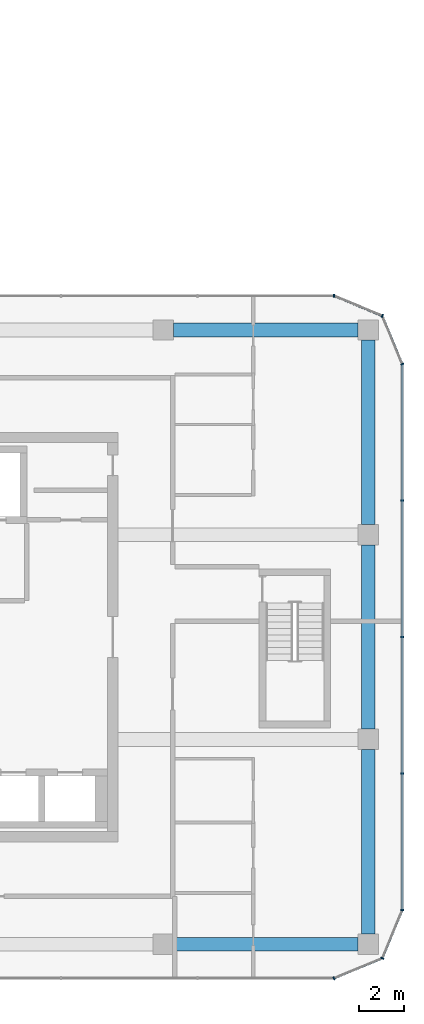
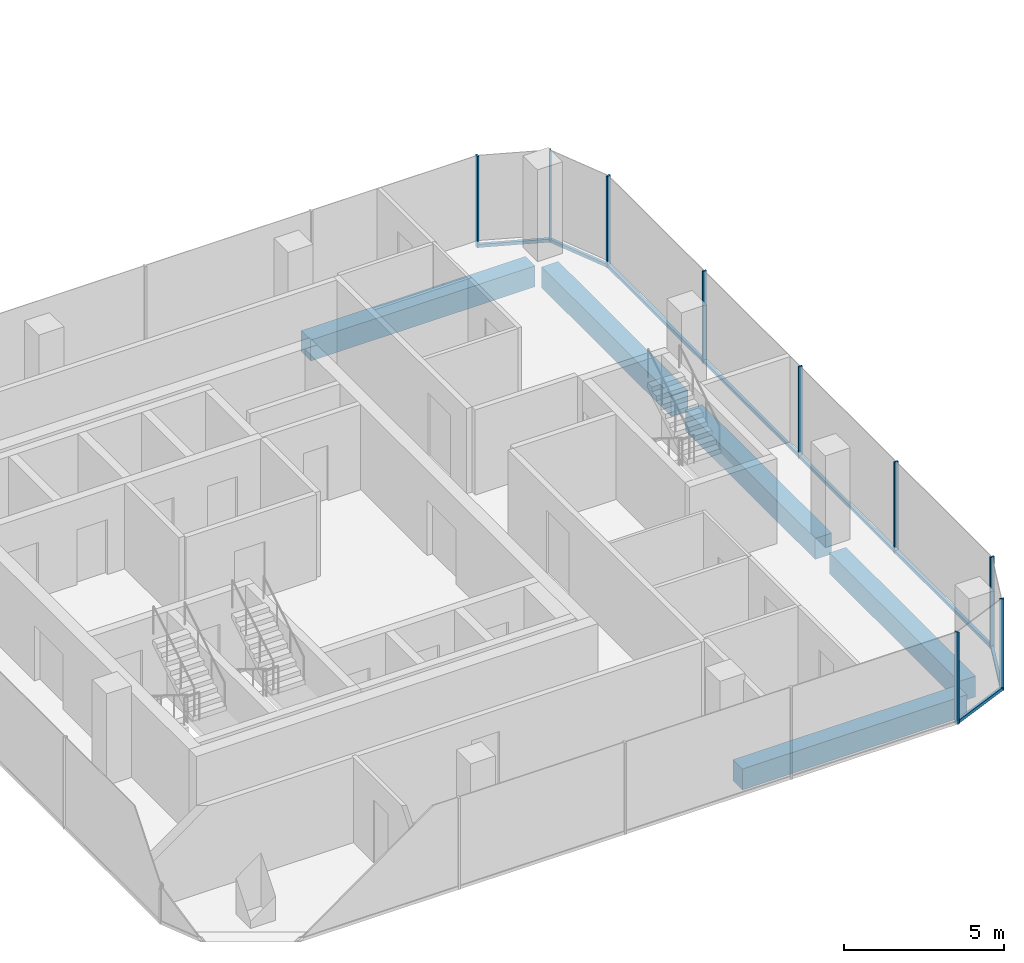
# One storey, part 10 of 27: 14 members, 5 beams, 6 elements without a shape of their own.
"""IFC4 building model written with IfcOpenShell, lengths in metres."""

from ifc_helpers import new_model, si_unit, direction, frame, origin, origin_2d, place, context, subcontext, project, spatial, rectangle, extrude, material, layer, layer_set, material_profile, profile_set, type_object, element, aggregate, save


model = new_model("IFC4")

# Units and contexts
model_context = context("Model", 3, precision=1e-05, world=origin(), true_north=direction((0.0, 1.0)))
body_context = subcontext(model_context, "Body", "Model", "MODEL_VIEW")
ifc_project = project(units=[si_unit("LENGTHUNIT", "METRE"), si_unit("AREAUNIT", "SQUARE_METRE"), si_unit("VOLUMEUNIT", "CUBIC_METRE"), si_unit("PLANEANGLEUNIT", "RADIAN"), si_unit("MASSUNIT", "GRAM", prefix="KILO")], contexts=[model_context])

# Site, building, storey
site_placement = place(None, origin())
site = spatial("IfcSite", under=ifc_project, at=site_placement, CompositionType="ELEMENT")
building_placement = place(site_placement, origin())
building = spatial("IfcBuilding", under=site, at=building_placement, Name="Plateau Cross Towers", CompositionType="ELEMENT")
storey_placement = place(building_placement, frame((0.0, 0.0, 78.300048828125)))
storey = spatial("IfcBuildingStorey", under=building, at=storey_placement, Name="L19", CompositionType="ELEMENT", Elevation=78.300048828125)

# Curtain wall, member
ifc_material_1 = material(Name="Dark low-iron glass", Category="glass")
ifc_layer = layer(ifc_material_1, 0.239990234375)
ifc_layer_set = layer_set([ifc_layer], Name="Dark low-iron glass")
curtain_wall_type = type_object("IfcCurtainWallType", Name="Curtain wall office unitised CW-F", PredefinedType="NOTDEFINED", material=ifc_layer_set)
curtain_wall_1_placement = place(storey_placement, origin())
curtain_wall_1 = element("IfcCurtainWall", 1, at=curtain_wall_1_placement, inside=storey, type_object=curtain_wall_type, Name="ENV/B/L19/B990_-60", PredefinedType="NOTDEFINED")
ifc_material_2 = material(Name="Black anodised aluminium", Category="aluminium")
ifc_material_profile_1 = material_profile(ifc_material_2, rectangle(XDim=0.06005859375, YDim=0.139892578125, at=origin_2d()), Name="MULLION 60x140")
ifc_profile_set_1 = profile_set([ifc_material_profile_1], Name="Black anodised aluminium")
member_type_1 = type_object("IfcMemberType", Name="Mullion 60x140 office unitised", PredefinedType="MULLION", material=ifc_profile_set_1)
member_1_placement = place(storey_placement, frame((99.0, -6.0, -0.25), z_axis=(0.0, 0.0, 1.0), x_axis=(0.923879457699, 0.382683612978, 0.0)))
member_1 = element("IfcMember", 2, at=member_1_placement, type_object=member_type_1, Name="CW-F mullion 1", PredefinedType="MULLION", context=body_context, shape_type="SweptSolid", body=[
    extrude(rectangle(XDim=0.06005859375, YDim=0.139892578125, at=origin_2d()), origin(), (0.0, 0.0, 1.0), 3.5),
])

curtain_wall_2_placement = place(storey_placement, origin())
curtain_wall_2 = element("IfcCurtainWall", 3, at=curtain_wall_2_placement, inside=storey, type_object=curtain_wall_type, Name="ENV/B/L19/B1011_-51", PredefinedType="NOTDEFINED")
member_2_placement = place(storey_placement, frame((101.121337890625, -5.121337890625, -0.25), z_axis=(0.0, 0.0, 1.0), x_axis=(0.382683612978, 0.923879457699, 0.0)))
member_2 = element("IfcMember", 4, at=member_2_placement, type_object=member_type_1, Name="CW-F mullion 1", PredefinedType="MULLION", context=body_context, shape_type="SweptSolid", body=[
    extrude(rectangle(XDim=0.06005859375, YDim=0.139892578125, at=origin_2d()), origin(), (0.0, 0.0, 1.0), 3.5),
])

# Curtain wall, members
curtain_wall_3_placement = place(storey_placement, origin())
curtain_wall_3 = element("IfcCurtainWall", 5, at=curtain_wall_3_placement, inside=storey, type_object=curtain_wall_type, Name="ENV/B/L19/B1020_-30", PredefinedType="NOTDEFINED")
member_3_placement = place(storey_placement, frame((102.0, -3.0, -0.25), z_axis=(0.0, 0.0, 1.0), x_axis=(0.0, 1.0, 0.0)))
member_3 = element("IfcMember", 6, at=member_3_placement, type_object=member_type_1, Name="CW-F mullion 1", PredefinedType="MULLION", context=body_context, shape_type="SweptSolid", body=[
    extrude(rectangle(XDim=0.06005859375, YDim=0.139892578125, at=origin_2d()), origin(), (0.0, 0.0, 1.0), 3.5),
])
member_4_placement = place(storey_placement, frame((102.0, 3.0, -0.25), z_axis=(0.0, 0.0, 1.0), x_axis=(0.0, 1.0, 0.0)))
member_4 = element("IfcMember", 7, at=member_4_placement, type_object=member_type_1, Name="CW-F mullion 2", PredefinedType="MULLION", context=body_context, shape_type="SweptSolid", body=[
    extrude(rectangle(XDim=0.06005859375, YDim=0.139892578125, at=origin_2d()), origin(), (0.0, 0.0, 1.0), 3.5),
])
member_5_placement = place(storey_placement, frame((102.0, 9.0, -0.25), z_axis=(0.0, 0.0, 1.0), x_axis=(0.0, 1.0, 0.0)))
member_5 = element("IfcMember", 8, at=member_5_placement, type_object=member_type_1, Name="CW-F mullion 3", PredefinedType="MULLION", context=body_context, shape_type="SweptSolid", body=[
    extrude(rectangle(XDim=0.06005859375, YDim=0.139892578125, at=origin_2d()), origin(), (0.0, 0.0, 1.0), 3.5),
])
member_6_placement = place(storey_placement, frame((102.0, 15.0, -0.25), z_axis=(0.0, 0.0, 1.0), x_axis=(0.0, 1.0, 0.0)))
member_6 = element("IfcMember", 9, at=member_6_placement, type_object=member_type_1, Name="CW-F mullion 4", PredefinedType="MULLION", context=body_context, shape_type="SweptSolid", body=[
    extrude(rectangle(XDim=0.06005859375, YDim=0.139892578125, at=origin_2d()), origin(), (0.0, 0.0, 1.0), 3.5),
])

# Curtain wall, member
curtain_wall_4_placement = place(storey_placement, origin())
curtain_wall_4 = element("IfcCurtainWall", 10, at=curtain_wall_4_placement, inside=storey, type_object=curtain_wall_type, Name="ENV/B/L19/B1020_210", PredefinedType="NOTDEFINED")
member_7_placement = place(storey_placement, frame((102.0, 21.0, -0.25), z_axis=(0.0, 0.0, 1.0), x_axis=(-0.382683612978, 0.923879457699, 0.0)))
member_7 = element("IfcMember", 11, at=member_7_placement, type_object=member_type_1, Name="CW-F mullion 1", PredefinedType="MULLION", context=body_context, shape_type="SweptSolid", body=[
    extrude(rectangle(XDim=0.06005859375, YDim=0.139892578125, at=origin_2d()), origin(), (0.0, 0.0, 1.0), 3.5),
])

curtain_wall_5_placement = place(storey_placement, origin())
curtain_wall_5 = element("IfcCurtainWall", 12, at=curtain_wall_5_placement, inside=storey, type_object=curtain_wall_type, Name="ENV/B/L19/B1011_231", PredefinedType="NOTDEFINED")
member_8_placement = place(storey_placement, frame((101.121337890625, 23.121337890625, -0.25), z_axis=(0.0, 0.0, 1.0), x_axis=(-0.923879457699, 0.382683612978, 0.0)))
member_8 = element("IfcMember", 13, at=member_8_placement, type_object=member_type_1, Name="CW-F mullion 1", PredefinedType="MULLION", context=body_context, shape_type="SweptSolid", body=[
    extrude(rectangle(XDim=0.06005859375, YDim=0.139892578125, at=origin_2d()), origin(), (0.0, 0.0, 1.0), 3.5),
])

curtain_wall_6_placement = place(storey_placement, origin())
curtain_wall_6 = element("IfcCurtainWall", 14, at=curtain_wall_6_placement, inside=storey, type_object=curtain_wall_type, Name="ENV/B/L19/B990_240", PredefinedType="NOTDEFINED")
member_9_placement = place(storey_placement, frame((99.0, 24.0, -0.25), z_axis=(0.0, 0.0, 1.0), x_axis=(-1.0, 0.0, 0.0)))
member_9 = element("IfcMember", 15, at=member_9_placement, type_object=member_type_1, Name="CW-F mullion 1", PredefinedType="MULLION", context=body_context, shape_type="SweptSolid", body=[
    extrude(rectangle(XDim=0.06005859375, YDim=0.139892578125, at=origin_2d()), origin(), (0.0, 0.0, 1.0), 3.5),
])
aggregate(curtain_wall_6, [member_9])

# Beams
ifc_material_3 = material(Name="Concrete C60/75", Category="concrete")
ifc_material_profile_2 = material_profile(ifc_material_3, rectangle(XDim=0.60009765625, YDim=0.800048828125, at=origin_2d()), Name="RC 600x800")
ifc_profile_set_2 = profile_set([ifc_material_profile_2], Name="Concrete C60/75")
beam_type = type_object("IfcBeamType", Name="Ring beam RC 600x800", PredefinedType="BEAM", material=ifc_profile_set_2)
for number, where, z_axis, x_axis, name in (
    (16, (91.949951171875, -4.5, -0.650146484375), (1.0, 0.0, 0.0), (0.0, 1.0, 0.0), "B-RB02@L19"),
    (17, (100.5, -4.050048828125, -0.650146484375), (0.0, 1.0, 0.0), (-1.0, 0.0, 0.0), "B-RB03@L19"),
    (18, (100.5, 4.949951171875, -0.650146484375), (0.0, 1.0, 0.0), (-1.0, 0.0, 0.0), "B-RB04@L19"),
    (19, (100.5, 13.949951171875, -0.650146484375), (0.0, 1.0, 0.0), (-1.0, 0.0, 0.0), "B-RB05@L19"),
    (20, (100.050048828125, 22.5, -0.650146484375), (-1.0, 0.0, 0.0), (0.0, -1.0, 0.0), "B-RB06@L19"),
):
    element("IfcBeam", number, at=place(storey_placement, frame(where, z_axis=z_axis, x_axis=x_axis)), inside=storey, type_object=beam_type, Name=name, PredefinedType="BEAM", context=body_context, shape_type="SweptSolid", body=[
        extrude(rectangle(XDim=0.60009765625, YDim=0.800048828125, at=origin_2d()), origin(), (0.0, 0.0, 1.0), 8.10009765625),
    ])

# Member
ifc_material_profile_3 = material_profile(ifc_material_2, rectangle(XDim=0.10009765625, YDim=0.1201171875, at=origin_2d()), Name="TRANSOM 100x120")
ifc_profile_set_3 = profile_set([ifc_material_profile_3], Name="Black anodised aluminium")
member_type_2 = type_object("IfcMemberType", Name="Transom 100x120 office unitised", PredefinedType="USERDEFINED", material=ifc_profile_set_3)
member_10_placement = place(storey_placement, frame((99.0, -6.0, -0.18994140625), z_axis=(0.923883353507, 0.382674207535, 0.0), x_axis=(-0.382674207535, 0.923883353507, 0.0)))
member_10 = element("IfcMember", 21, at=member_10_placement, type_object=member_type_2, Name="CW-F transom", ObjectType="TRANSOM", PredefinedType="USERDEFINED", context=body_context, shape_type="SweptSolid", body=[
    extrude(rectangle(XDim=0.10009765625, YDim=0.1201171875, at=origin_2d()), origin(), (0.0, 0.0, 1.0), 2.296142578125),
])

aggregate(curtain_wall_1, [member_1, member_10])

member_11_placement = place(storey_placement, frame((101.121337890625, -5.121337890625, -0.18994140625), z_axis=(0.382674207535, 0.923883353507, 0.0), x_axis=(-0.923883353507, 0.382674207535, 0.0)))
member_11 = element("IfcMember", 22, at=member_11_placement, type_object=member_type_2, Name="CW-F transom", ObjectType="TRANSOM", PredefinedType="USERDEFINED", context=body_context, shape_type="SweptSolid", body=[
    extrude(rectangle(XDim=0.10009765625, YDim=0.1201171875, at=origin_2d()), origin(), (0.0, 0.0, 1.0), 2.296142578125),
])

aggregate(curtain_wall_2, [member_2, member_11])

member_12_placement = place(storey_placement, frame((102.0, -3.0, -0.18994140625), z_axis=(0.0, 1.0, 0.0), x_axis=(-1.0, 0.0, 0.0)))
member_12 = element("IfcMember", 23, at=member_12_placement, type_object=member_type_2, Name="CW-F transom", ObjectType="TRANSOM", PredefinedType="USERDEFINED", context=body_context, shape_type="SweptSolid", body=[
    extrude(rectangle(XDim=0.10009765625, YDim=0.1201171875, at=origin_2d()), origin(), (0.0, 0.0, 1.0), 24.0),
])

aggregate(curtain_wall_3, [member_3, member_4, member_5, member_6, member_12])

member_13_placement = place(storey_placement, frame((102.0, 21.0, -0.18994140625), z_axis=(-0.382674207535, 0.923883353507, 0.0), x_axis=(-0.923883353507, -0.382674207535, 0.0)))
member_13 = element("IfcMember", 24, at=member_13_placement, type_object=member_type_2, Name="CW-F transom", ObjectType="TRANSOM", PredefinedType="USERDEFINED", context=body_context, shape_type="SweptSolid", body=[
    extrude(rectangle(XDim=0.10009765625, YDim=0.1201171875, at=origin_2d()), origin(), (0.0, 0.0, 1.0), 2.296142578125),
])

aggregate(curtain_wall_4, [member_7, member_13])

member_14_placement = place(storey_placement, frame((101.121337890625, 23.121337890625, -0.18994140625), z_axis=(-0.923883353507, 0.382674207535, 0.0), x_axis=(-0.382674207535, -0.923883353507, 0.0)))
member_14 = element("IfcMember", 25, at=member_14_placement, type_object=member_type_2, Name="CW-F transom", ObjectType="TRANSOM", PredefinedType="USERDEFINED", context=body_context, shape_type="SweptSolid", body=[
    extrude(rectangle(XDim=0.10009765625, YDim=0.1201171875, at=origin_2d()), origin(), (0.0, 0.0, 1.0), 2.296142578125),
])

aggregate(curtain_wall_5, [member_8, member_14])

save(model, "model.ifc")
